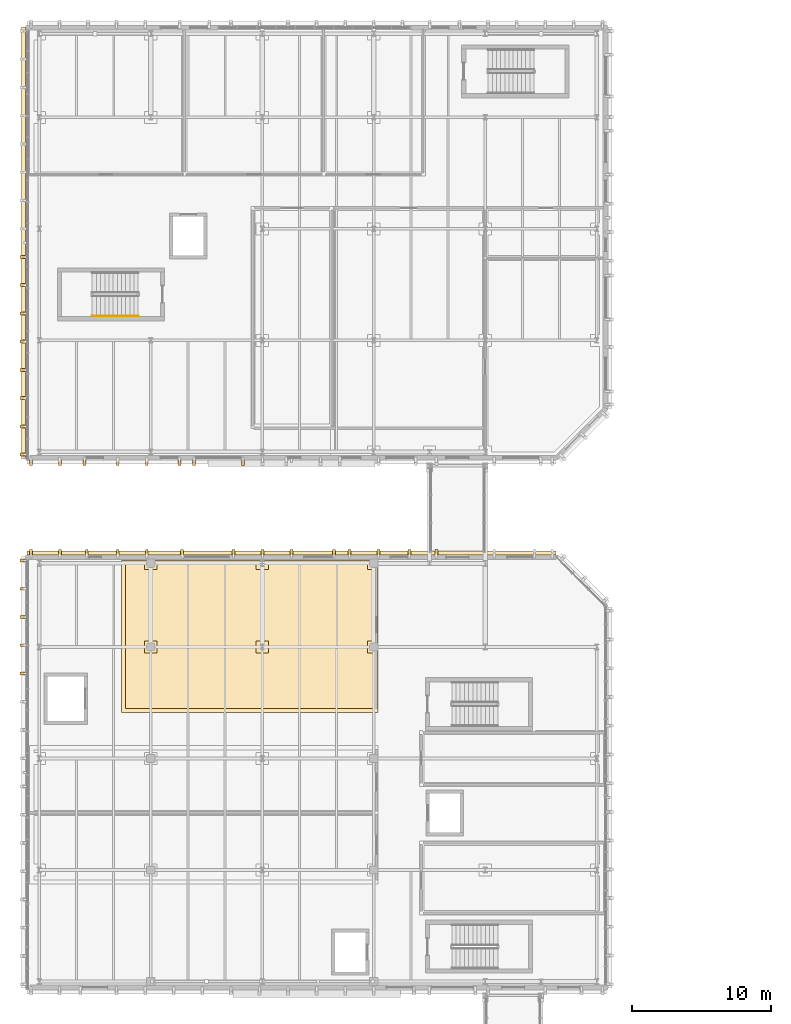
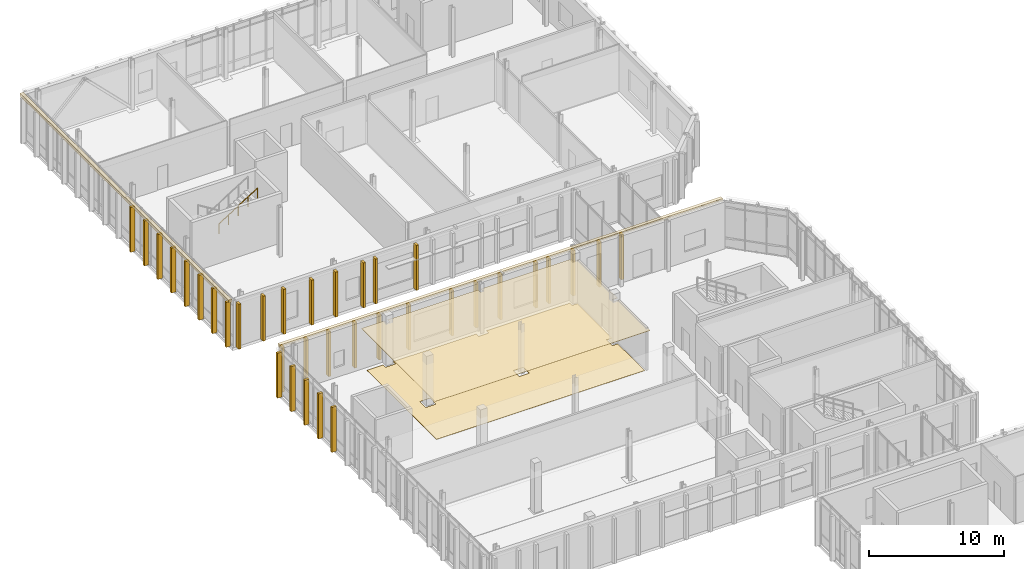
# One storey, part 93 of 100: 39 coverings, 1 railing.
"""IFC4 building model written with IfcOpenShell, lengths in metres."""

from ifc_helpers import new_model, si_unit, direction, frame, origin, origin_2d, place, context, subcontext, project, spatial, polyline, rectangle, circle, outline, extrude, material, layer, layer_set, type_object, element, save


model = new_model("IFC4")

# Units and contexts
model_context = context("Model", 3, precision=1e-05, world=origin(), true_north=direction((0.0, 1.0)))
body_context = subcontext(model_context, "Body", "Model", "MODEL_VIEW")
ifc_project = project(units=[si_unit("LENGTHUNIT", "METRE"), si_unit("AREAUNIT", "SQUARE_METRE"), si_unit("VOLUMEUNIT", "CUBIC_METRE"), si_unit("PLANEANGLEUNIT", "RADIAN"), si_unit("MASSUNIT", "GRAM", prefix="KILO")], contexts=[model_context])

# Site, building, storey
site_placement = place(None, origin())
site = spatial("IfcSite", under=ifc_project, at=site_placement, CompositionType="ELEMENT")
building_placement = place(site_placement, origin())
building = spatial("IfcBuilding", under=site, at=building_placement, Name="Cymarion Research Institute", CompositionType="ELEMENT")
storey_placement = place(building_placement, frame((0.0, 0.0, 9.300048828125)))
storey = spatial("IfcBuildingStorey", under=building, at=storey_placement, Name="L02", CompositionType="ELEMENT", Elevation=9.300048828125)

# Coverings
ifc_material_1 = material(Name="Micro-perforated mineral acoustic ceiling tile", Category="gypsum")
ifc_layer_1 = layer(ifc_material_1, 0.030029296875)
ifc_layer_set_1 = layer_set([ifc_layer_1], Name="Micro-perforated mineral acoustic ceiling tile")
covering_type_1 = type_object("IfcCoveringType", Name="ACOUSTIC MICRO-PERFORATED SUSPENDED CEILING CLG-01", PredefinedType="CEILING", material=ifc_layer_set_1)
covering_1_placement = place(storey_placement, frame((0.0, 0.0, 3.699951171875)))
element("IfcCovering", 1, at=covering_1_placement, inside=storey, type_object=covering_type_1, Name="L02 L02 Electron-Beam & Surface Metrology Laboratory acoustic ceiling", PredefinedType="CEILING", context=body_context, shape_type="SweptSolid", body=[
    extrude(outline(polyline([(14.465087890625, 77.715087890625), (14.465087890625, 77.364990234375), (14.735107421875, 77.364990234375), (14.735107421875, 77.715087890625), (22.465087890625, 77.715087890625), (22.465087890625, 77.364990234375), (22.735107421875, 77.364990234375), (22.735107421875, 77.715087890625), (30.465087890625, 77.715087890625), (30.465087890625, 77.364990234375), (30.9150390625, 77.364990234375), (30.9150390625, 71.635009765625), (30.465087890625, 71.635009765625), (30.465087890625, 71.364990234375), (30.9150390625, 71.364990234375), (30.9150390625, 66.784912109375), (12.485107421875, 66.784912109375), (12.485107421875, 77.715087890625), (14.465087890625, 77.715087890625)])), origin(), (0.0, 0.0, 1.0), 0.030029296875),
])
ifc_material_2 = material(Name="Precast concrete C45/55 architectural white", Category="concrete")
ifc_layer_2 = layer(ifc_material_2, 0.260009765625)
ifc_layer_set_2 = layer_set([ifc_layer_2], Name="Precast concrete C45/55 architectural white")
covering_type_2 = type_object("IfcCoveringType", Name="SCULPTURAL WHITE PRECAST CONCRETE SPANDREL BROW BAND RIB2 280MM", PredefinedType="CLADDING", material=ifc_layer_set_2)
covering_2_placement = place(storey_placement, frame((24.699951171875, 78.241943359375, 4.08984375), z_axis=(0.0, 0.0, 1.0), x_axis=(0.0, 1.0, 0.0)))
element("IfcCovering", 2, at=covering_2_placement, inside=storey, type_object=covering_type_2, Name="L02 V4 precast spandrel brow band RIB2 #553", PredefinedType="CLADDING", context=body_context, shape_type="SweptSolid", body=[
    extrude(rectangle(XDim=0.280029296875, YDim=37.9599609375, at=origin_2d()), origin(), (0.0, 0.0, 1.0), 0.260009765625),
])
covering_3_placement = place(storey_placement, frame((5.4580078125, 100.5, 4.08984375), z_axis=(0.0, 0.0, 1.0), x_axis=(-1.0, 0.0, 0.0)))
element("IfcCovering", 3, at=covering_3_placement, inside=storey, type_object=covering_type_2, Name="L02 V5 precast spandrel brow band RIB2 #648", PredefinedType="CLADDING", context=body_context, shape_type="SweptSolid", body=[
    extrude(rectangle(XDim=0.280029296875, YDim=30.9599609375, at=origin_2d()), origin(), (0.0, 0.0, 1.0), 0.260009765625),
])
ifc_layer_3 = layer(ifc_material_2, 0.199951171875)
ifc_layer_set_3 = layer_set([ifc_layer_3], Name="Precast concrete C45/55 architectural white")
covering_type_3 = type_object("IfcCoveringType", Name="SCULPTURAL WHITE PRECAST CONCRETE VERTICAL RIB RIB1 380X200", PredefinedType="CLADDING", material=ifc_layer_set_3)
for number, where, z_axis, x_axis, name in (
    (4, (35.0888671875, 78.2919921875, 0.009765625), (0.0, 0.0, 1.0), (0.0, 1.0, 0.0), "L02 V4 sculptural precast vertical rib RIB1 #557"),
    (5, (33.170166015625, 78.2919921875, 0.009765625), (0.0, 0.0, 1.0), (0.0, 1.0, 0.0), "L02 V4 sculptural precast vertical rib RIB1 #558"),
    (6, (30.933349609375, 78.2919921875, 0.009765625), (0.0, 0.0, 1.0), (0.0, 1.0, 0.0), "L02 V4 sculptural precast vertical rib RIB1 #559"),
    (7, (28.855712890625, 78.2919921875, 0.009765625), (0.0, 0.0, 1.0), (0.0, 1.0, 0.0), "L02 V4 sculptural precast vertical rib RIB1 #560"),
    (8, (27.750244140625, 78.2919921875, 0.009765625), (0.0, 0.0, 1.0), (0.0, 1.0, 0.0), "L02 V4 sculptural precast vertical rib RIB1 #561"),
    (9, (24.699951171875, 78.2919921875, 0.009765625), (0.0, 0.0, 1.0), (0.0, 1.0, 0.0), "L02 V4 sculptural precast vertical rib RIB1 #562"),
    (10, (22.622314453125, 78.2919921875, 0.009765625), (0.0, 0.0, 1.0), (0.0, 1.0, 0.0), "L02 V4 sculptural precast vertical rib RIB1 #563"),
    (11, (20.54443359375, 78.2919921875, 0.009765625), (0.0, 0.0, 1.0), (0.0, 1.0, 0.0), "L02 V4 sculptural precast vertical rib RIB1 #564"),
    (12, (16.85009765625, 78.2919921875, 0.009765625), (0.0, 0.0, 1.0), (0.0, 1.0, 0.0), "L02 V4 sculptural precast vertical rib RIB1 #565"),
    (13, (14.31103515625, 78.2919921875, 0.009765625), (0.0, 0.0, 1.0), (0.0, 1.0, 0.0), "L02 V4 sculptural precast vertical rib RIB1 #566"),
    (14, (12.2333984375, 78.2919921875, 0.009765625), (0.0, 0.0, 1.0), (0.0, 1.0, 0.0), "L02 V4 sculptural precast vertical rib RIB1 #567"),
    (15, (10.000244140625, 78.2919921875, 0.009765625), (0.0, 0.0, 1.0), (0.0, 1.0, 0.0), "L02 V4 sculptural precast vertical rib RIB1 #568"),
    (16, (8.077880859375, 78.2919921875, 0.009765625), (0.0, 0.0, 1.0), (0.0, 1.0, 0.0), "L02 V4 sculptural precast vertical rib RIB1 #569"),
    (17, (6.0, 78.2919921875, 0.009765625), (0.0, 0.0, 1.0), (0.0, 1.0, 0.0), "L02 V4 sculptural precast vertical rib RIB1 #570"),
    (18, (5.407958984375, 77.699951171875, 0.009765625), (0.0, 0.0, 1.0), (-1.0, 0.0, 0.0), "L02 V4 sculptural precast vertical rib RIB1 #572"),
    (19, (5.407958984375, 75.67333984375, 0.009765625), (0.0, 0.0, 1.0), (-1.0, 0.0, 0.0), "L02 V4 sculptural precast vertical rib RIB1 #573"),
    (20, (5.407958984375, 73.646728515625, 0.009765625), (0.0, 0.0, 1.0), (-1.0, 0.0, 0.0), "L02 V4 sculptural precast vertical rib RIB1 #574"),
    (21, (5.407958984375, 71.6201171875, 0.009765625), (0.0, 0.0, 1.0), (-1.0, 0.0, 0.0), "L02 V4 sculptural precast vertical rib RIB1 #575"),
    (22, (5.407958984375, 69.59326171875, 0.009765625), (0.0, 0.0, 1.0), (-1.0, 0.0, 0.0), "L02 V4 sculptural precast vertical rib RIB1 #576"),
    (23, (6.0, 84.7080078125, 0.009765625), (0.0, 0.0, 1.0), (0.0, -1.0, 0.0), "L02 V5 sculptural precast vertical rib RIB1 #589"),
    (24, (8.077880859375, 84.7080078125, 0.009765625), (0.0, 0.0, 1.0), (0.0, -1.0, 0.0), "L02 V5 sculptural precast vertical rib RIB1 #590"),
    (25, (9.85009765625, 84.7080078125, 0.009765625), (0.0, 0.0, 1.0), (0.0, -1.0, 0.0), "L02 V5 sculptural precast vertical rib RIB1 #591"),
    (26, (12.2333984375, 84.7080078125, 0.009765625), (0.0, 0.0, 1.0), (0.0, -1.0, 0.0), "L02 V5 sculptural precast vertical rib RIB1 #592"),
    (27, (14.31103515625, 84.7080078125, 0.009765625), (0.0, 0.0, 1.0), (0.0, -1.0, 0.0), "L02 V5 sculptural precast vertical rib RIB1 #593"),
    (28, (16.669921875, 84.7080078125, 0.009765625), (0.0, 0.0, 1.0), (0.0, -1.0, 0.0), "L02 V5 sculptural precast vertical rib RIB1 #594"),
    (29, (17.7099609375, 84.7080078125, 0.009765625), (0.0, 0.0, 1.0), (0.0, -1.0, 0.0), "L02 V5 sculptural precast vertical rib RIB1 #595"),
    (30, (21.2099609375, 84.7080078125, 0.009765625), (0.0, 0.0, 1.0), (0.0, -1.0, 0.0), "L02 V5 sculptural precast vertical rib RIB1 #596"),
    (31, (5.407958984375, 99.48681640625, 0.009765625), (0.0, 0.0, 1.0), (-1.0, 0.0, 0.0), "L02 V5 sculptural precast vertical rib RIB1 #657"),
    (32, (5.407958984375, 97.4599609375, 0.009765625), (0.0, 0.0, 1.0), (-1.0, 0.0, 0.0), "L02 V5 sculptural precast vertical rib RIB1 #658"),
    (33, (5.407958984375, 95.433349609375, 0.009765625), (0.0, 0.0, 1.0), (-1.0, 0.0, 0.0), "L02 V5 sculptural precast vertical rib RIB1 #659"),
    (34, (5.407958984375, 93.40673828125, 0.009765625), (0.0, 0.0, 1.0), (-1.0, 0.0, 0.0), "L02 V5 sculptural precast vertical rib RIB1 #660"),
    (35, (5.407958984375, 91.3798828125, 0.009765625), (0.0, 0.0, 1.0), (-1.0, 0.0, 0.0), "L02 V5 sculptural precast vertical rib RIB1 #661"),
    (36, (5.407958984375, 89.353271484375, 0.009765625), (0.0, 0.0, 1.0), (-1.0, 0.0, 0.0), "L02 V5 sculptural precast vertical rib RIB1 #662"),
    (37, (5.407958984375, 87.32666015625, 0.009765625), (0.0, 0.0, 1.0), (-1.0, 0.0, 0.0), "L02 V5 sculptural precast vertical rib RIB1 #663"),
    (38, (5.407958984375, 85.300048828125, 0.009765625), (0.0, 0.0, 1.0), (-1.0, 0.0, 0.0), "L02 V5 sculptural precast vertical rib RIB1 #664"),
):
    element("IfcCovering", number, at=place(storey_placement, frame(where, z_axis=z_axis, x_axis=x_axis)), inside=storey, type_object=covering_type_3, Name=name, PredefinedType="CLADDING", context=body_context, shape_type="SweptSolid", body=[
        extrude(rectangle(XDim=0.3798828125, YDim=0.199951171875, at=origin_2d()), origin(), (0.0, 0.0, 1.0), 4.074951171875),
    ])
ifc_material_3 = material(Name="Seamless dissipative epoxy resin flooring", Category="resin")
ifc_layer_4 = layer(ifc_material_3, 0.02001953125)
ifc_layer_set_4 = layer_set([ifc_layer_4], Name="Seamless dissipative epoxy resin flooring")
covering_type_4 = type_object("IfcCoveringType", Name="SEAMLESS ESD EPOXY LABORATORY FLOORING FLR-01", PredefinedType="FLOORING", material=ifc_layer_set_4)
covering_4_placement = place(storey_placement, origin())
element("IfcCovering", 39, at=covering_4_placement, inside=storey, type_object=covering_type_4, Name="L02 L02 Electron-Beam & Surface Metrology Laboratory ESD epoxy flooring", PredefinedType="FLOORING", context=body_context, shape_type="SweptSolid", body=[
    extrude(outline(polyline([(12.784912109375, 77.4150390625), (14.1650390625, 77.4150390625), (14.1650390625, 77.06494140625), (15.034912109375, 77.06494140625), (15.034912109375, 77.4150390625), (22.1650390625, 77.4150390625), (22.1650390625, 77.06494140625), (23.034912109375, 77.06494140625), (23.034912109375, 77.4150390625), (30.1650390625, 77.4150390625), (30.1650390625, 77.06494140625), (30.614990234375, 77.06494140625), (30.614990234375, 71.93505859375), (30.1650390625, 71.93505859375), (30.1650390625, 71.06494140625), (30.614990234375, 71.06494140625), (30.614990234375, 67.0849609375), (12.784912109375, 67.0849609375), (12.784912109375, 77.4150390625)]), holes=[polyline([(23.034912109375, 71.93505859375), (22.1650390625, 71.93505859375), (22.1650390625, 71.06494140625), (23.034912109375, 71.06494140625), (23.034912109375, 71.93505859375)]), polyline([(15.034912109375, 71.93505859375), (14.1650390625, 71.93505859375), (14.1650390625, 71.06494140625), (15.034912109375, 71.06494140625), (15.034912109375, 71.93505859375)])]), origin(), (0.0, 0.0, 1.0), 0.02001953125),
])

# Railing
ifc_material_4 = material(Name="Steel S355", Category="steel")
railing_type = type_object("IfcRailingType", Name="STAINLESS STEEL STAIR HANDRAIL HR1 900MM", PredefinedType="HANDRAIL", material=ifc_material_4)
railing_placement = place(storey_placement, frame((10.39990234375, 95.25, 2.4375)))
element("IfcRailing", 40, at=railing_placement, inside=storey, type_object=railing_type, Name="L02 ST9 stair handrail 2", PredefinedType="HANDRAIL", context=body_context, shape_type="SweptSolid", body=[
    extrude(circle(Radius=0.02392578125, at=origin_2d()), frame((0.0, 0.0, 0.8759765625), z_axis=(0.848001828478, 0.0, 0.529993300805), x_axis=(0.0, 1.0, 0.0)), (0.0, 0.0, 1.0), 3.8916015625),
    extrude(circle(Radius=0.02099609375, at=origin_2d()), origin(), (0.0, 0.0, 1.0), 0.851806640625),
    extrude(circle(Radius=0.02099609375, at=origin_2d()), frame((0.824951171875, 0.0, 0.515625)), (0.0, 0.0, 1.0), 0.851806640625),
    extrude(circle(Radius=0.02099609375, at=origin_2d()), frame((1.64990234375, 0.0, 1.03125)), (0.0, 0.0, 1.0), 0.851806640625),
    extrude(circle(Radius=0.02099609375, at=origin_2d()), frame((2.47509765625, 0.0, 1.546875)), (0.0, 0.0, 1.0), 0.851806640625),
    extrude(circle(Radius=0.02099609375, at=origin_2d()), frame((3.300048828125, 0.0, 2.0625)), (0.0, 0.0, 1.0), 0.851806640625),
])

save(model, "model.ifc")
